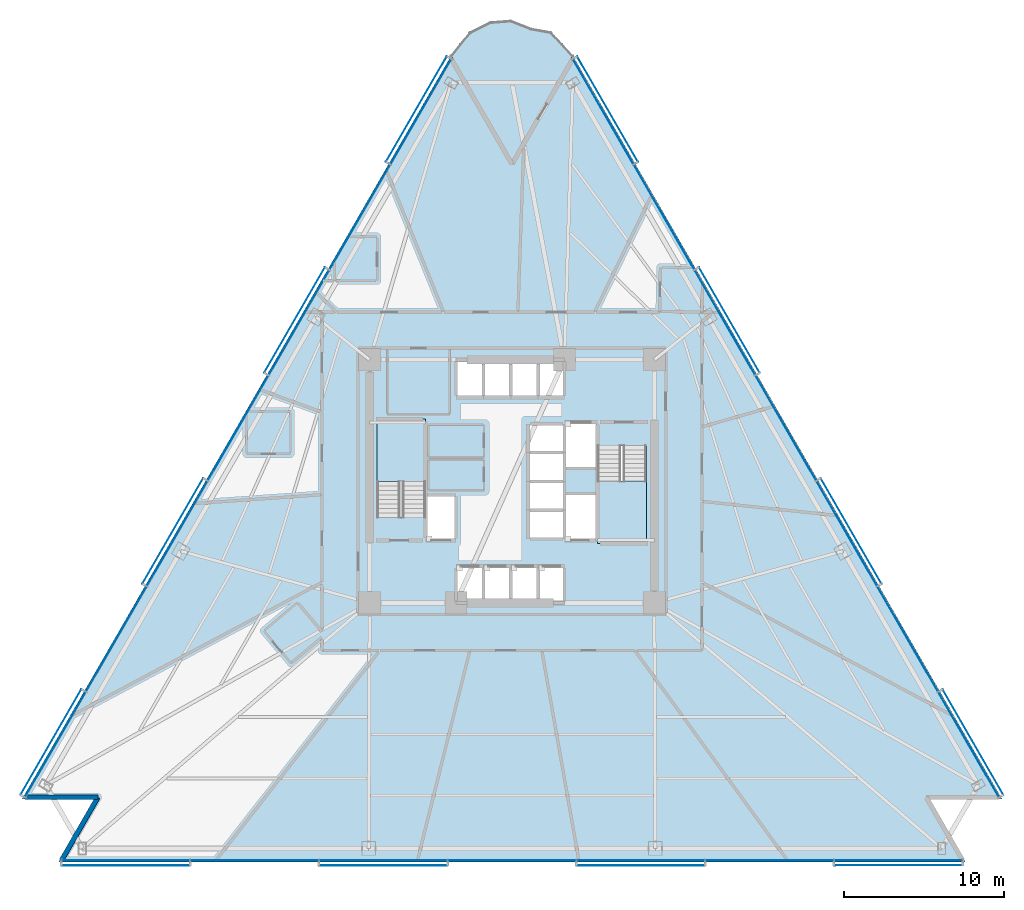
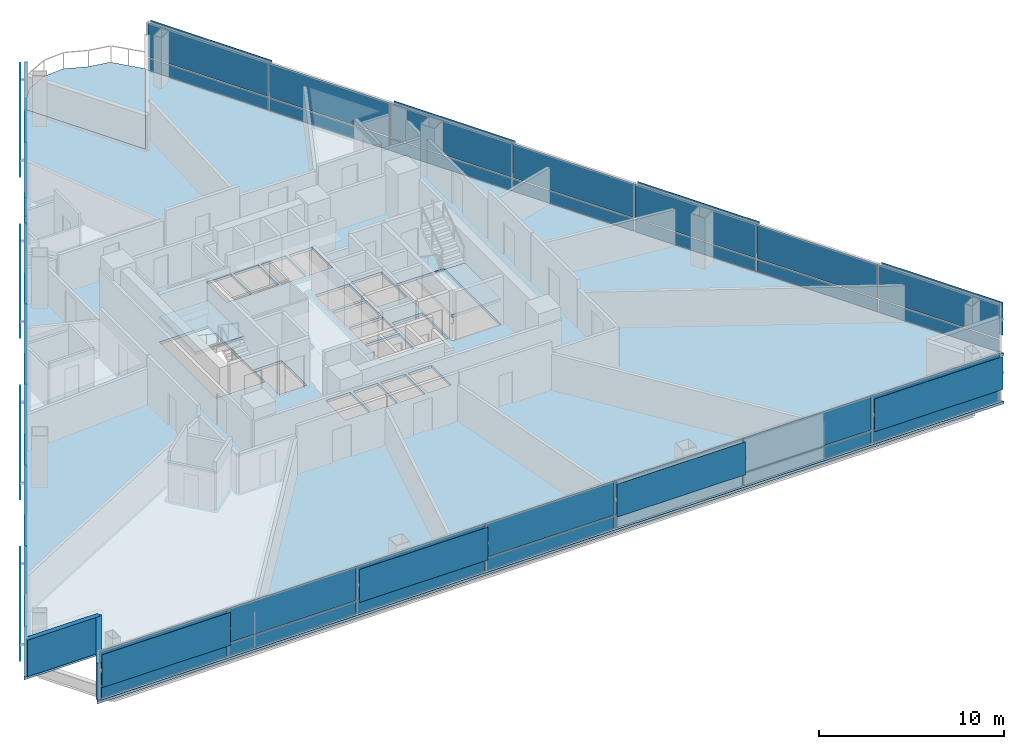
# One storey, part 6 of 16: 54 plates, 4 slabs, 2 walls, 5 elements without a shape of their own.
"""IFC4 building model written with IfcOpenShell, lengths in metres."""

from ifc_helpers import new_model, si_unit, direction, frame, frame_2d, origin, origin_2d, place, context, subcontext, project, spatial, polyline, rectangle, outline, extrude, material, layer, layer_set, type_object, element, aggregate, save


model = new_model("IFC4")

# Units and contexts
model_context = context("Model", 3, precision=1e-05, world=origin(), true_north=direction((0.0, 1.0)))
body_context = subcontext(model_context, "Body", "Model", "MODEL_VIEW")
ifc_project = project(units=[si_unit("LENGTHUNIT", "METRE"), si_unit("AREAUNIT", "SQUARE_METRE"), si_unit("VOLUMEUNIT", "CUBIC_METRE"), si_unit("PLANEANGLEUNIT", "RADIAN"), si_unit("MASSUNIT", "GRAM", prefix="KILO")], contexts=[model_context])

# Site, building, storey
site_placement = place(None, origin())
site = spatial("IfcSite", under=ifc_project, at=site_placement, CompositionType="ELEMENT")
building_placement = place(site_placement, origin())
building = spatial("IfcBuilding", under=site, at=building_placement, Name="Tharavind Bronze Gate", CompositionType="ELEMENT")
storey_placement = place(building_placement, frame((0.0, 0.0, 45.449951171875)))
storey = spatial("IfcBuildingStorey", under=building, at=storey_placement, Name="L10", CompositionType="ELEMENT", Elevation=45.449951171875)

# Plates
ifc_material_1 = material(Name="Perforated Bronze Alloy", Category="bronze")
ifc_layer_1 = layer(ifc_material_1, 0.011962890625)
ifc_layer_set_1 = layer_set([ifc_layer_1], Name="Perforated Bronze Alloy")
plate_type_1 = type_object("IfcPlateType", Name="BRONZE PERFORATED SOLAR SCREEN", PredefinedType="USERDEFINED", material=ifc_layer_set_1)
for number, where, z_axis, x_axis, name in (
    (1, (-5.976806640625, 23.27783203125, 0.97412109375), (0.0, 0.0, 1.0), (-0.500001511499, -0.866024531118, 0.0), "CW-L10-S1 perforated bronze solar screen 1"),
    (2, (-13.5927734375, 10.086669921875, 0.97412109375), (0.0, 0.0, 1.0), (-0.500001511499, -0.866024531118, 0.0), "CW-L10-S1 perforated bronze solar screen 3"),
    (3, (-21.208740234375, -3.1044921875, 0.97412109375), (0.0, 0.0, 1.0), (-0.500001511499, -0.866024531118, 0.0), "CW-L10-S1 perforated bronze solar screen 5"),
    (4, (-28.82470703125, -16.295654296875, 0.97412109375), (0.0, 0.0, 1.0), (-0.500001511499, -0.866024531118, 0.0), "CW-L10-S1 perforated bronze solar screen 7"),
):
    element("IfcPlate", number, at=place(storey_placement, frame(where, z_axis=z_axis, x_axis=x_axis)), inside=storey, type_object=plate_type_1, Name=name, ObjectType="SCREEN", PredefinedType="USERDEFINED", context=body_context, shape_type="SweptSolid", body=[
        extrude(rectangle(XDim=7.595947265625, YDim=0.011962890625, at=origin_2d()), origin(), (0.0, 0.0, 1.0), 2.177001953125),
    ])
for number, where, z_axis, x_axis, name in (
    (5, (-24.150634765625, -24.014892578125, 0.97412109375), (0.0, 0.0, 1.0), (1.0, 0.0, 0.0), "CW-L10-S2 perforated bronze solar screen 1"),
    (6, (-8.05029296875, -24.014892578125, 0.97412109375), (0.0, 0.0, 1.0), (1.0, 0.0, 0.0), "CW-L10-S2 perforated bronze solar screen 3"),
    (7, (8.05029296875, -24.014892578125, 0.97412109375), (0.0, 0.0, 1.0), (1.0, 0.0, 0.0), "CW-L10-S2 perforated bronze solar screen 5"),
    (8, (24.150634765625, -24.014892578125, 0.97412109375), (0.0, 0.0, 1.0), (1.0, 0.0, 0.0), "CW-L10-S2 perforated bronze solar screen 7"),
):
    element("IfcPlate", number, at=place(storey_placement, frame(where, z_axis=z_axis, x_axis=x_axis)), inside=storey, type_object=plate_type_1, Name=name, ObjectType="SCREEN", PredefinedType="USERDEFINED", context=body_context, shape_type="SweptSolid", body=[
        extrude(rectangle(XDim=8.0302734375, YDim=0.011962890625, at=origin_2d()), origin(), (0.0, 0.0, 1.0), 2.177001953125),
    ])
for number, where, z_axis, x_axis, name in (
    (9, (28.82470703125, -16.295654296875, 0.97412109375), (0.0, 0.0, 1.0), (-0.500001511499, 0.866024531118, 0.0), "CW-L10-S3 perforated bronze solar screen 1"),
    (10, (21.208740234375, -3.1044921875, 0.97412109375), (0.0, 0.0, 1.0), (-0.500001511499, 0.866024531118, 0.0), "CW-L10-S3 perforated bronze solar screen 3"),
    (11, (13.5927734375, 10.086669921875, 0.97412109375), (0.0, 0.0, 1.0), (-0.500001511499, 0.866024531118, 0.0), "CW-L10-S3 perforated bronze solar screen 5"),
    (12, (5.976806640625, 23.27783203125, 0.97412109375), (0.0, 0.0, 1.0), (-0.500001511499, 0.866024531118, 0.0), "CW-L10-S3 perforated bronze solar screen 7"),
):
    element("IfcPlate", number, at=place(storey_placement, frame(where, z_axis=z_axis, x_axis=x_axis)), inside=storey, type_object=plate_type_1, Name=name, ObjectType="SCREEN", PredefinedType="USERDEFINED", context=body_context, shape_type="SweptSolid", body=[
        extrude(rectangle(XDim=7.595947265625, YDim=0.011962890625, at=origin_2d()), origin(), (0.0, 0.0, 1.0), 2.177001953125),
    ])

# Curtain wall, plates
ifc_material_2 = material(Name="Anodised Bronze Aluminium", Category="aluminium")
ifc_layer_2 = layer(ifc_material_2, 0.219970703125)
ifc_layer_set_2 = layer_set([ifc_layer_2], Name="Anodised Bronze Aluminium")
curtain_wall_type = type_object("IfcCurtainWallType", Name="UNITISED CURTAIN WALL HOTEL", PredefinedType="USERDEFINED", material=ifc_layer_set_2)
curtain_wall_1_placement = place(storey_placement, origin())
curtain_wall_1 = element("IfcCurtainWall", 13, at=curtain_wall_1_placement, inside=storey, type_object=curtain_wall_type, Name="L10 unitised curtain wall hotel CW-L10-S1", ObjectType="UNITISED CURTAIN WALL", PredefinedType="USERDEFINED")
ifc_material_3 = material(Name="Patinated Bronze Alloy Sheet", Category="bronze")
ifc_layer_3 = layer(ifc_material_3, 0.01611328125)
ifc_layer_set_3 = layer_set([ifc_layer_3], Name="Patinated Bronze Alloy Sheet")
plate_type_2 = type_object("IfcPlateType", Name="BRONZE SPANDREL CLADDING PANEL 16", PredefinedType="CURTAIN_PANEL", material=ifc_layer_set_3)
plate_1_placement = place(storey_placement, frame((-5.7041015625, 23.120361328125, 0.033935546875), z_axis=(0.0, 0.0, 1.0), x_axis=(-0.500001511499, -0.866024531118, 0.0)))
plate_1 = element("IfcPlate", 14, at=plate_1_placement, type_object=plate_type_2, Name="CW-L10-S1 bronze spandrel panel 1", PredefinedType="CURTAIN_PANEL", context=body_context, shape_type="SweptSolid", body=[
    extrude(rectangle(XDim=7.5478515625, YDim=0.01611328125, at=origin_2d()), origin(), (0.0, 0.0, 1.0), 0.83203125),
])
plate_2_placement = place(storey_placement, frame((-9.511962890625, 16.52490234375, 0.033935546875), z_axis=(0.0, 0.0, 1.0), x_axis=(-0.500001511499, -0.866024531118, 0.0)))
plate_2 = element("IfcPlate", 15, at=plate_2_placement, type_object=plate_type_2, Name="CW-L10-S1 bronze spandrel panel 2", PredefinedType="CURTAIN_PANEL", context=body_context, shape_type="SweptSolid", body=[
    extrude(rectangle(XDim=7.5478515625, YDim=0.01611328125, at=origin_2d()), origin(), (0.0, 0.0, 1.0), 0.83203125),
])
plate_3_placement = place(storey_placement, frame((-13.31982421875, 9.92919921875, 0.033935546875), z_axis=(0.0, 0.0, 1.0), x_axis=(-0.500001511499, -0.866024531118, 0.0)))
plate_3 = element("IfcPlate", 16, at=plate_3_placement, type_object=plate_type_2, Name="CW-L10-S1 bronze spandrel panel 3", PredefinedType="CURTAIN_PANEL", context=body_context, shape_type="SweptSolid", body=[
    extrude(rectangle(XDim=7.5478515625, YDim=0.01611328125, at=origin_2d()), origin(), (0.0, 0.0, 1.0), 0.83203125),
])
plate_4_placement = place(storey_placement, frame((-17.1279296875, 3.33349609375, 0.033935546875), z_axis=(0.0, 0.0, 1.0), x_axis=(-0.500001511499, -0.866024531118, 0.0)))
plate_4 = element("IfcPlate", 17, at=plate_4_placement, type_object=plate_type_2, Name="CW-L10-S1 bronze spandrel panel 4", PredefinedType="CURTAIN_PANEL", context=body_context, shape_type="SweptSolid", body=[
    extrude(rectangle(XDim=7.5478515625, YDim=0.01611328125, at=origin_2d()), origin(), (0.0, 0.0, 1.0), 0.83203125),
])
plate_5_placement = place(storey_placement, frame((-20.935791015625, -3.261962890625, 0.033935546875), z_axis=(0.0, 0.0, 1.0), x_axis=(-0.500001511499, -0.866024531118, 0.0)))
plate_5 = element("IfcPlate", 18, at=plate_5_placement, type_object=plate_type_2, Name="CW-L10-S1 bronze spandrel panel 5", PredefinedType="CURTAIN_PANEL", context=body_context, shape_type="SweptSolid", body=[
    extrude(rectangle(XDim=7.5478515625, YDim=0.01611328125, at=origin_2d()), origin(), (0.0, 0.0, 1.0), 0.83203125),
])
plate_6_placement = place(storey_placement, frame((-24.743896484375, -9.857421875, 0.033935546875), z_axis=(0.0, 0.0, 1.0), x_axis=(-0.500001511499, -0.866024531118, 0.0)))
plate_6 = element("IfcPlate", 19, at=plate_6_placement, type_object=plate_type_2, Name="CW-L10-S1 bronze spandrel panel 6", PredefinedType="CURTAIN_PANEL", context=body_context, shape_type="SweptSolid", body=[
    extrude(rectangle(XDim=7.5478515625, YDim=0.01611328125, at=origin_2d()), origin(), (0.0, 0.0, 1.0), 0.83203125),
])
plate_7_placement = place(storey_placement, frame((-28.5517578125, -16.453125, 0.033935546875), z_axis=(0.0, 0.0, 1.0), x_axis=(-0.500001511499, -0.866024531118, 0.0)))
plate_7 = element("IfcPlate", 20, at=plate_7_placement, type_object=plate_type_2, Name="CW-L10-S1 bronze spandrel panel 7", PredefinedType="CURTAIN_PANEL", context=body_context, shape_type="SweptSolid", body=[
    extrude(rectangle(XDim=7.5478515625, YDim=0.01611328125, at=origin_2d()), origin(), (0.0, 0.0, 1.0), 0.83203125),
])

curtain_wall_2_placement = place(storey_placement, origin())
curtain_wall_2 = element("IfcCurtainWall", 21, at=curtain_wall_2_placement, inside=storey, type_object=curtain_wall_type, Name="L10 unitised curtain wall hotel CW-L10-S2", ObjectType="UNITISED CURTAIN WALL", PredefinedType="USERDEFINED")
plate_8_placement = place(storey_placement, frame((-24.150634765625, -23.699951171875, 0.033935546875), z_axis=(0.0, 0.0, 1.0), x_axis=(1.0, 0.0, 0.0)))
plate_8 = element("IfcPlate", 22, at=plate_8_placement, type_object=plate_type_2, Name="CW-L10-S2 bronze spandrel panel 1", PredefinedType="CURTAIN_PANEL", context=body_context, shape_type="SweptSolid", body=[
    extrude(rectangle(XDim=7.982177734375, YDim=0.01611328125, at=origin_2d()), origin(), (0.0, 0.0, 1.0), 0.83203125),
])
plate_9_placement = place(storey_placement, frame((-16.1005859375, -23.699951171875, 0.033935546875), z_axis=(0.0, 0.0, 1.0), x_axis=(1.0, 0.0, 0.0)))
plate_9 = element("IfcPlate", 23, at=plate_9_placement, type_object=plate_type_2, Name="CW-L10-S2 bronze spandrel panel 2", PredefinedType="CURTAIN_PANEL", context=body_context, shape_type="SweptSolid", body=[
    extrude(rectangle(XDim=7.982177734375, YDim=0.01611328125, at=origin_2d()), origin(), (0.0, 0.0, 1.0), 0.83203125),
])
plate_10_placement = place(storey_placement, frame((-8.05029296875, -23.699951171875, 0.033935546875), z_axis=(0.0, 0.0, 1.0), x_axis=(1.0, 0.0, 0.0)))
plate_10 = element("IfcPlate", 24, at=plate_10_placement, type_object=plate_type_2, Name="CW-L10-S2 bronze spandrel panel 3", PredefinedType="CURTAIN_PANEL", context=body_context, shape_type="SweptSolid", body=[
    extrude(rectangle(XDim=7.982177734375, YDim=0.01611328125, at=origin_2d()), origin(), (0.0, 0.0, 1.0), 0.83203125),
])
plate_11_placement = place(storey_placement, frame((0.0, -23.699951171875, 0.033935546875), z_axis=(0.0, 0.0, 1.0), x_axis=(1.0, 0.0, 0.0)))
plate_11 = element("IfcPlate", 25, at=plate_11_placement, type_object=plate_type_2, Name="CW-L10-S2 bronze spandrel panel 4", PredefinedType="CURTAIN_PANEL", context=body_context, shape_type="SweptSolid", body=[
    extrude(rectangle(XDim=7.982177734375, YDim=0.01611328125, at=origin_2d()), origin(), (0.0, 0.0, 1.0), 0.83203125),
])
plate_12_placement = place(storey_placement, frame((8.05029296875, -23.699951171875, 0.033935546875), z_axis=(0.0, 0.0, 1.0), x_axis=(1.0, 0.0, 0.0)))
plate_12 = element("IfcPlate", 26, at=plate_12_placement, type_object=plate_type_2, Name="CW-L10-S2 bronze spandrel panel 5", PredefinedType="CURTAIN_PANEL", context=body_context, shape_type="SweptSolid", body=[
    extrude(rectangle(XDim=7.982177734375, YDim=0.01611328125, at=origin_2d()), origin(), (0.0, 0.0, 1.0), 0.83203125),
])
plate_13_placement = place(storey_placement, frame((16.1005859375, -23.699951171875, 0.033935546875), z_axis=(0.0, 0.0, 1.0), x_axis=(1.0, 0.0, 0.0)))
plate_13 = element("IfcPlate", 27, at=plate_13_placement, type_object=plate_type_2, Name="CW-L10-S2 bronze spandrel panel 6", PredefinedType="CURTAIN_PANEL", context=body_context, shape_type="SweptSolid", body=[
    extrude(rectangle(XDim=7.982177734375, YDim=0.01611328125, at=origin_2d()), origin(), (0.0, 0.0, 1.0), 0.83203125),
])
plate_14_placement = place(storey_placement, frame((24.150634765625, -23.699951171875, 0.033935546875), z_axis=(0.0, 0.0, 1.0), x_axis=(1.0, 0.0, 0.0)))
plate_14 = element("IfcPlate", 28, at=plate_14_placement, type_object=plate_type_2, Name="CW-L10-S2 bronze spandrel panel 7", PredefinedType="CURTAIN_PANEL", context=body_context, shape_type="SweptSolid", body=[
    extrude(rectangle(XDim=7.982177734375, YDim=0.01611328125, at=origin_2d()), origin(), (0.0, 0.0, 1.0), 0.83203125),
])

curtain_wall_3_placement = place(storey_placement, origin())
curtain_wall_3 = element("IfcCurtainWall", 29, at=curtain_wall_3_placement, inside=storey, type_object=curtain_wall_type, Name="L10 unitised curtain wall hotel CW-L10-S3", ObjectType="UNITISED CURTAIN WALL", PredefinedType="USERDEFINED")
plate_15_placement = place(storey_placement, frame((28.5517578125, -16.453125, 0.033935546875), z_axis=(0.0, 0.0, 1.0), x_axis=(-0.500001511499, 0.866024531118, 0.0)))
plate_15 = element("IfcPlate", 30, at=plate_15_placement, type_object=plate_type_2, Name="CW-L10-S3 bronze spandrel panel 1", PredefinedType="CURTAIN_PANEL", context=body_context, shape_type="SweptSolid", body=[
    extrude(rectangle(XDim=7.5478515625, YDim=0.01611328125, at=origin_2d()), origin(), (0.0, 0.0, 1.0), 0.83203125),
])
plate_16_placement = place(storey_placement, frame((24.743896484375, -9.857421875, 0.033935546875), z_axis=(0.0, 0.0, 1.0), x_axis=(-0.500001511499, 0.866024531118, 0.0)))
plate_16 = element("IfcPlate", 31, at=plate_16_placement, type_object=plate_type_2, Name="CW-L10-S3 bronze spandrel panel 2", PredefinedType="CURTAIN_PANEL", context=body_context, shape_type="SweptSolid", body=[
    extrude(rectangle(XDim=7.5478515625, YDim=0.01611328125, at=origin_2d()), origin(), (0.0, 0.0, 1.0), 0.83203125),
])
plate_17_placement = place(storey_placement, frame((20.935791015625, -3.261962890625, 0.033935546875), z_axis=(0.0, 0.0, 1.0), x_axis=(-0.500001511499, 0.866024531118, 0.0)))
plate_17 = element("IfcPlate", 32, at=plate_17_placement, type_object=plate_type_2, Name="CW-L10-S3 bronze spandrel panel 3", PredefinedType="CURTAIN_PANEL", context=body_context, shape_type="SweptSolid", body=[
    extrude(rectangle(XDim=7.5478515625, YDim=0.01611328125, at=origin_2d()), origin(), (0.0, 0.0, 1.0), 0.83203125),
])
plate_18_placement = place(storey_placement, frame((17.1279296875, 3.33349609375, 0.033935546875), z_axis=(0.0, 0.0, 1.0), x_axis=(-0.500001511499, 0.866024531118, 0.0)))
plate_18 = element("IfcPlate", 33, at=plate_18_placement, type_object=plate_type_2, Name="CW-L10-S3 bronze spandrel panel 4", PredefinedType="CURTAIN_PANEL", context=body_context, shape_type="SweptSolid", body=[
    extrude(rectangle(XDim=7.5478515625, YDim=0.01611328125, at=origin_2d()), origin(), (0.0, 0.0, 1.0), 0.83203125),
])
plate_19_placement = place(storey_placement, frame((13.31982421875, 9.92919921875, 0.033935546875), z_axis=(0.0, 0.0, 1.0), x_axis=(-0.500001511499, 0.866024531118, 0.0)))
plate_19 = element("IfcPlate", 34, at=plate_19_placement, type_object=plate_type_2, Name="CW-L10-S3 bronze spandrel panel 5", PredefinedType="CURTAIN_PANEL", context=body_context, shape_type="SweptSolid", body=[
    extrude(rectangle(XDim=7.5478515625, YDim=0.01611328125, at=origin_2d()), origin(), (0.0, 0.0, 1.0), 0.83203125),
])
plate_20_placement = place(storey_placement, frame((9.511962890625, 16.52490234375, 0.033935546875), z_axis=(0.0, 0.0, 1.0), x_axis=(-0.500001511499, 0.866024531118, 0.0)))
plate_20 = element("IfcPlate", 35, at=plate_20_placement, type_object=plate_type_2, Name="CW-L10-S3 bronze spandrel panel 6", PredefinedType="CURTAIN_PANEL", context=body_context, shape_type="SweptSolid", body=[
    extrude(rectangle(XDim=7.5478515625, YDim=0.01611328125, at=origin_2d()), origin(), (0.0, 0.0, 1.0), 0.83203125),
])
plate_21_placement = place(storey_placement, frame((5.7041015625, 23.120361328125, 0.033935546875), z_axis=(0.0, 0.0, 1.0), x_axis=(-0.500001511499, 0.866024531118, 0.0)))
plate_21 = element("IfcPlate", 36, at=plate_21_placement, type_object=plate_type_2, Name="CW-L10-S3 bronze spandrel panel 7", PredefinedType="CURTAIN_PANEL", context=body_context, shape_type="SweptSolid", body=[
    extrude(rectangle(XDim=7.5478515625, YDim=0.01611328125, at=origin_2d()), origin(), (0.0, 0.0, 1.0), 0.83203125),
])

# Plate
ifc_material_4 = material(Name="Low-E Double Glazing", Category="glass")
ifc_layer_4 = layer(ifc_material_4, 0.031982421875)
ifc_layer_set_4 = layer_set([ifc_layer_4], Name="Low-E Double Glazing")
plate_type_3 = type_object("IfcPlateType", Name="DOUBLE GLAZED FACADE PANEL 32", PredefinedType="CURTAIN_PANEL", material=ifc_layer_set_4)
plate_22_placement = place(storey_placement, frame((-5.7041015625, 23.120361328125, 0.93408203125), z_axis=(0.0, 0.0, 1.0), x_axis=(-0.500001511499, -0.866024531118, 0.0)))
plate_22 = element("IfcPlate", 37, at=plate_22_placement, type_object=plate_type_3, Name="CW-L10-S1 vision glazing panel 1", PredefinedType="CURTAIN_PANEL", context=body_context, shape_type="SweptSolid", body=[
    extrude(rectangle(XDim=7.5478515625, YDim=0.031982421875, at=origin_2d()), origin(), (0.0, 0.0, 1.0), 2.257080078125),
])

plate_23_placement = place(storey_placement, frame((-9.511962890625, 16.52490234375, 0.93408203125), z_axis=(0.0, 0.0, 1.0), x_axis=(-0.500001511499, -0.866024531118, 0.0)))
plate_23 = element("IfcPlate", 38, at=plate_23_placement, type_object=plate_type_3, Name="CW-L10-S1 vision glazing panel 2", PredefinedType="CURTAIN_PANEL", context=body_context, shape_type="SweptSolid", body=[
    extrude(rectangle(XDim=7.5478515625, YDim=0.031982421875, at=origin_2d()), origin(), (0.0, 0.0, 1.0), 2.257080078125),
])

plate_24_placement = place(storey_placement, frame((-13.31982421875, 9.92919921875, 0.93408203125), z_axis=(0.0, 0.0, 1.0), x_axis=(-0.500001511499, -0.866024531118, 0.0)))
plate_24 = element("IfcPlate", 39, at=plate_24_placement, type_object=plate_type_3, Name="CW-L10-S1 vision glazing panel 3", PredefinedType="CURTAIN_PANEL", context=body_context, shape_type="SweptSolid", body=[
    extrude(rectangle(XDim=7.5478515625, YDim=0.031982421875, at=origin_2d()), origin(), (0.0, 0.0, 1.0), 2.257080078125),
])

plate_25_placement = place(storey_placement, frame((-17.1279296875, 3.33349609375, 0.93408203125), z_axis=(0.0, 0.0, 1.0), x_axis=(-0.500001511499, -0.866024531118, 0.0)))
plate_25 = element("IfcPlate", 40, at=plate_25_placement, type_object=plate_type_3, Name="CW-L10-S1 vision glazing panel 4", PredefinedType="CURTAIN_PANEL", context=body_context, shape_type="SweptSolid", body=[
    extrude(rectangle(XDim=7.5478515625, YDim=0.031982421875, at=origin_2d()), origin(), (0.0, 0.0, 1.0), 2.257080078125),
])

plate_26_placement = place(storey_placement, frame((-20.935791015625, -3.261962890625, 0.93408203125), z_axis=(0.0, 0.0, 1.0), x_axis=(-0.500001511499, -0.866024531118, 0.0)))
plate_26 = element("IfcPlate", 41, at=plate_26_placement, type_object=plate_type_3, Name="CW-L10-S1 vision glazing panel 5", PredefinedType="CURTAIN_PANEL", context=body_context, shape_type="SweptSolid", body=[
    extrude(rectangle(XDim=7.5478515625, YDim=0.031982421875, at=origin_2d()), origin(), (0.0, 0.0, 1.0), 2.257080078125),
])

plate_27_placement = place(storey_placement, frame((-24.743896484375, -9.857421875, 0.93408203125), z_axis=(0.0, 0.0, 1.0), x_axis=(-0.500001511499, -0.866024531118, 0.0)))
plate_27 = element("IfcPlate", 42, at=plate_27_placement, type_object=plate_type_3, Name="CW-L10-S1 vision glazing panel 6", PredefinedType="CURTAIN_PANEL", context=body_context, shape_type="SweptSolid", body=[
    extrude(rectangle(XDim=7.5478515625, YDim=0.031982421875, at=origin_2d()), origin(), (0.0, 0.0, 1.0), 2.257080078125),
])

plate_28_placement = place(storey_placement, frame((-28.5517578125, -16.453125, 0.93408203125), z_axis=(0.0, 0.0, 1.0), x_axis=(-0.500001511499, -0.866024531118, 0.0)))
plate_28 = element("IfcPlate", 43, at=plate_28_placement, type_object=plate_type_3, Name="CW-L10-S1 vision glazing panel 7", PredefinedType="CURTAIN_PANEL", context=body_context, shape_type="SweptSolid", body=[
    extrude(rectangle(XDim=7.5478515625, YDim=0.031982421875, at=origin_2d()), origin(), (0.0, 0.0, 1.0), 2.257080078125),
])

aggregate(curtain_wall_1, [plate_1, plate_22, plate_2, plate_23, plate_3, plate_24, plate_4, plate_25, plate_5, plate_26, plate_6, plate_27, plate_7, plate_28])

plate_29_placement = place(storey_placement, frame((-24.150634765625, -23.699951171875, 0.93408203125), z_axis=(0.0, 0.0, 1.0), x_axis=(1.0, 0.0, 0.0)))
plate_29 = element("IfcPlate", 44, at=plate_29_placement, type_object=plate_type_3, Name="CW-L10-S2 vision glazing panel 1", PredefinedType="CURTAIN_PANEL", context=body_context, shape_type="SweptSolid", body=[
    extrude(rectangle(XDim=7.982177734375, YDim=0.031982421875, at=origin_2d()), origin(), (0.0, 0.0, 1.0), 2.257080078125),
])

plate_30_placement = place(storey_placement, frame((-16.1005859375, -23.699951171875, 0.93408203125), z_axis=(0.0, 0.0, 1.0), x_axis=(1.0, 0.0, 0.0)))
plate_30 = element("IfcPlate", 45, at=plate_30_placement, type_object=plate_type_3, Name="CW-L10-S2 vision glazing panel 2", PredefinedType="CURTAIN_PANEL", context=body_context, shape_type="SweptSolid", body=[
    extrude(rectangle(XDim=7.982177734375, YDim=0.031982421875, at=origin_2d()), origin(), (0.0, 0.0, 1.0), 2.257080078125),
])

plate_31_placement = place(storey_placement, frame((-8.05029296875, -23.699951171875, 0.93408203125), z_axis=(0.0, 0.0, 1.0), x_axis=(1.0, 0.0, 0.0)))
plate_31 = element("IfcPlate", 46, at=plate_31_placement, type_object=plate_type_3, Name="CW-L10-S2 vision glazing panel 3", PredefinedType="CURTAIN_PANEL", context=body_context, shape_type="SweptSolid", body=[
    extrude(rectangle(XDim=7.982177734375, YDim=0.031982421875, at=origin_2d()), origin(), (0.0, 0.0, 1.0), 2.257080078125),
])

plate_32_placement = place(storey_placement, frame((0.0, -23.699951171875, 0.93408203125), z_axis=(0.0, 0.0, 1.0), x_axis=(1.0, 0.0, 0.0)))
plate_32 = element("IfcPlate", 47, at=plate_32_placement, type_object=plate_type_3, Name="CW-L10-S2 vision glazing panel 4", PredefinedType="CURTAIN_PANEL", context=body_context, shape_type="SweptSolid", body=[
    extrude(rectangle(XDim=7.982177734375, YDim=0.031982421875, at=origin_2d()), origin(), (0.0, 0.0, 1.0), 2.257080078125),
])

plate_33_placement = place(storey_placement, frame((8.05029296875, -23.699951171875, 0.93408203125), z_axis=(0.0, 0.0, 1.0), x_axis=(1.0, 0.0, 0.0)))
plate_33 = element("IfcPlate", 48, at=plate_33_placement, type_object=plate_type_3, Name="CW-L10-S2 vision glazing panel 5", PredefinedType="CURTAIN_PANEL", context=body_context, shape_type="SweptSolid", body=[
    extrude(rectangle(XDim=7.982177734375, YDim=0.031982421875, at=origin_2d()), origin(), (0.0, 0.0, 1.0), 2.257080078125),
])

plate_34_placement = place(storey_placement, frame((16.1005859375, -23.699951171875, 0.93408203125), z_axis=(0.0, 0.0, 1.0), x_axis=(1.0, 0.0, 0.0)))
plate_34 = element("IfcPlate", 49, at=plate_34_placement, type_object=plate_type_3, Name="CW-L10-S2 vision glazing panel 6", PredefinedType="CURTAIN_PANEL", context=body_context, shape_type="SweptSolid", body=[
    extrude(rectangle(XDim=7.982177734375, YDim=0.031982421875, at=origin_2d()), origin(), (0.0, 0.0, 1.0), 2.257080078125),
])

plate_35_placement = place(storey_placement, frame((24.150634765625, -23.699951171875, 0.93408203125), z_axis=(0.0, 0.0, 1.0), x_axis=(1.0, 0.0, 0.0)))
plate_35 = element("IfcPlate", 50, at=plate_35_placement, type_object=plate_type_3, Name="CW-L10-S2 vision glazing panel 7", PredefinedType="CURTAIN_PANEL", context=body_context, shape_type="SweptSolid", body=[
    extrude(rectangle(XDim=7.982177734375, YDim=0.031982421875, at=origin_2d()), origin(), (0.0, 0.0, 1.0), 2.257080078125),
])

aggregate(curtain_wall_2, [plate_8, plate_29, plate_9, plate_30, plate_10, plate_31, plate_11, plate_32, plate_12, plate_33, plate_13, plate_34, plate_14, plate_35])

plate_36_placement = place(storey_placement, frame((28.5517578125, -16.453125, 0.93408203125), z_axis=(0.0, 0.0, 1.0), x_axis=(-0.500001511499, 0.866024531118, 0.0)))
plate_36 = element("IfcPlate", 51, at=plate_36_placement, type_object=plate_type_3, Name="CW-L10-S3 vision glazing panel 1", PredefinedType="CURTAIN_PANEL", context=body_context, shape_type="SweptSolid", body=[
    extrude(rectangle(XDim=7.5478515625, YDim=0.031982421875, at=origin_2d()), origin(), (0.0, 0.0, 1.0), 2.257080078125),
])

plate_37_placement = place(storey_placement, frame((24.743896484375, -9.857421875, 0.93408203125), z_axis=(0.0, 0.0, 1.0), x_axis=(-0.500001511499, 0.866024531118, 0.0)))
plate_37 = element("IfcPlate", 52, at=plate_37_placement, type_object=plate_type_3, Name="CW-L10-S3 vision glazing panel 2", PredefinedType="CURTAIN_PANEL", context=body_context, shape_type="SweptSolid", body=[
    extrude(rectangle(XDim=7.5478515625, YDim=0.031982421875, at=origin_2d()), origin(), (0.0, 0.0, 1.0), 2.257080078125),
])

plate_38_placement = place(storey_placement, frame((20.935791015625, -3.261962890625, 0.93408203125), z_axis=(0.0, 0.0, 1.0), x_axis=(-0.500001511499, 0.866024531118, 0.0)))
plate_38 = element("IfcPlate", 53, at=plate_38_placement, type_object=plate_type_3, Name="CW-L10-S3 vision glazing panel 3", PredefinedType="CURTAIN_PANEL", context=body_context, shape_type="SweptSolid", body=[
    extrude(rectangle(XDim=7.5478515625, YDim=0.031982421875, at=origin_2d()), origin(), (0.0, 0.0, 1.0), 2.257080078125),
])

plate_39_placement = place(storey_placement, frame((17.1279296875, 3.33349609375, 0.93408203125), z_axis=(0.0, 0.0, 1.0), x_axis=(-0.500001511499, 0.866024531118, 0.0)))
plate_39 = element("IfcPlate", 54, at=plate_39_placement, type_object=plate_type_3, Name="CW-L10-S3 vision glazing panel 4", PredefinedType="CURTAIN_PANEL", context=body_context, shape_type="SweptSolid", body=[
    extrude(rectangle(XDim=7.5478515625, YDim=0.031982421875, at=origin_2d()), origin(), (0.0, 0.0, 1.0), 2.257080078125),
])

plate_40_placement = place(storey_placement, frame((13.31982421875, 9.92919921875, 0.93408203125), z_axis=(0.0, 0.0, 1.0), x_axis=(-0.500001511499, 0.866024531118, 0.0)))
plate_40 = element("IfcPlate", 55, at=plate_40_placement, type_object=plate_type_3, Name="CW-L10-S3 vision glazing panel 5", PredefinedType="CURTAIN_PANEL", context=body_context, shape_type="SweptSolid", body=[
    extrude(rectangle(XDim=7.5478515625, YDim=0.031982421875, at=origin_2d()), origin(), (0.0, 0.0, 1.0), 2.257080078125),
])

plate_41_placement = place(storey_placement, frame((9.511962890625, 16.52490234375, 0.93408203125), z_axis=(0.0, 0.0, 1.0), x_axis=(-0.500001511499, 0.866024531118, 0.0)))
plate_41 = element("IfcPlate", 56, at=plate_41_placement, type_object=plate_type_3, Name="CW-L10-S3 vision glazing panel 6", PredefinedType="CURTAIN_PANEL", context=body_context, shape_type="SweptSolid", body=[
    extrude(rectangle(XDim=7.5478515625, YDim=0.031982421875, at=origin_2d()), origin(), (0.0, 0.0, 1.0), 2.257080078125),
])

plate_42_placement = place(storey_placement, frame((5.7041015625, 23.120361328125, 0.93408203125), z_axis=(0.0, 0.0, 1.0), x_axis=(-0.500001511499, 0.866024531118, 0.0)))
plate_42 = element("IfcPlate", 57, at=plate_42_placement, type_object=plate_type_3, Name="CW-L10-S3 vision glazing panel 7", PredefinedType="CURTAIN_PANEL", context=body_context, shape_type="SweptSolid", body=[
    extrude(rectangle(XDim=7.5478515625, YDim=0.031982421875, at=origin_2d()), origin(), (0.0, 0.0, 1.0), 2.257080078125),
])

aggregate(curtain_wall_3, [plate_15, plate_36, plate_16, plate_37, plate_17, plate_38, plate_18, plate_39, plate_19, plate_40, plate_20, plate_41, plate_21, plate_42])

# Slab
ifc_material_5 = material(Name="Concrete C40/50", Category="concrete")
ifc_layer_5 = layer(ifc_material_5, 0.175048828125)
ifc_layer_set_5 = layer_set([ifc_layer_5], Name="Concrete C40/50")
slab_type_1 = type_object("IfcSlabType", Name="EXTERIOR BALCONY SLAB 175", PredefinedType="FLOOR", material=ifc_layer_set_5)
slab_1_placement = place(storey_placement, frame((0.0, 0.0, -0.175048828125)))
element("IfcSlab", 58, at=slab_1_placement, inside=storey, type_object=slab_type_1, Name="L10 northeast tree balcony slab", PredefinedType="FLOOR", context=body_context, shape_type="SweptSolid", body=[
    extrude(outline(polyline([(2.44384765625, 28.1181640625), (1.17724609375, 28.349609375), (-0.089599609375, 28.847900390625), (-1.356201171875, 28.7490234375), (-2.622802734375, 28.1181640625), (-3.800048828125, 26.6181640625), (0.0, 20.036376953125), (3.800048828125, 26.6181640625), (2.44384765625, 28.1181640625)])), origin(), (0.0, 0.0, 1.0), 0.175048828125),
])

# Stair, slab
stair_type = type_object("IfcStairType", Name="CORE HALF TURN STAIR 1450", PredefinedType="HALF_TURN_STAIR", material=ifc_material_5)
stair_1_placement = place(storey_placement, origin())
stair_1 = element("IfcStair", 59, at=stair_1_placement, inside=storey, type_object=stair_type, Name="L10 Protected Exit Stair ST1", PredefinedType="HALF_TURN_STAIR")
ifc_layer_6 = layer(ifc_material_5, 0.199951171875)
ifc_layer_set_6 = layer_set([ifc_layer_6], Name="Concrete C40/50")
slab_type_2 = type_object("IfcSlabType", Name="STAIR LANDING SLAB 200", PredefinedType="LANDING", material=ifc_layer_set_6)
slab_2_placement = place(storey_placement, frame((0.0, 0.0, 1.5)))
slab_2 = element("IfcSlab", 60, at=slab_2_placement, type_object=slab_type_2, Name="ST1 landing 1", PredefinedType="LANDING", context=body_context, shape_type="SweptSolid", body=[
    extrude(outline(polyline([(-5.39990234375, -0.010009765625), (-5.39990234375, 3.89990234375), (-8.449951171875, 3.89990234375), (-8.449951171875, -0.010009765625), (-5.39990234375, -0.010009765625)])), origin(), (0.0, 0.0, 1.0), 0.199951171875),
])
aggregate(stair_1, [slab_2])

stair_2_placement = place(storey_placement, origin())
stair_2 = element("IfcStair", 61, at=stair_2_placement, inside=storey, type_object=stair_type, Name="L10 Protected Exit Stair ST2", PredefinedType="HALF_TURN_STAIR")
slab_3_placement = place(storey_placement, frame((0.0, 0.0, 1.5)))
slab_3 = element("IfcSlab", 62, at=slab_3_placement, type_object=slab_type_2, Name="ST2 landing 1", PredefinedType="LANDING", context=body_context, shape_type="SweptSolid", body=[
    extrude(outline(polyline([(5.35009765625, 0.010009765625), (5.35009765625, -3.89990234375), (8.39990234375, -3.89990234375), (8.39990234375, 0.010009765625), (5.35009765625, 0.010009765625)])), origin(), (0.0, 0.0, 1.0), 0.199951171875),
])
aggregate(stair_2, [slab_3])

# Slab
ifc_layer_7 = layer(ifc_material_5, 0.175048828125)
ifc_layer_set_7 = layer_set([ifc_layer_7], Name="Concrete C40/50")
slab_type_3 = type_object("IfcSlabType", Name="STRUCTURAL FLOOR SLAB 175", PredefinedType="FLOOR", material=ifc_layer_set_7)
slab_4_placement = place(storey_placement, frame((0.0, 0.0, -0.175048828125)))
element("IfcSlab", 63, at=slab_4_placement, inside=storey, type_object=slab_type_3, Name="L10 main structural floor slab", PredefinedType="FLOOR", context=body_context, shape_type="SweptSolid", body=[
    extrude(outline(polyline([(3.800048828125, 26.6181640625), (0.0, 20.036376953125), (-3.800048828125, 26.6181640625), (-30.62890625, -19.850830078125), (-26.069091796875, -19.850830078125), (-28.34912109375, -23.800048828125), (28.34912109375, -23.800048828125), (26.069091796875, -19.850830078125), (30.62890625, -19.850830078125), (3.800048828125, 26.6181640625)]), holes=[polyline([(-5.39990234375, -2.215087890625), (-5.39990234375, 3.89990234375), (-8.449951171875, 3.89990234375), (-8.449951171875, -2.215087890625), (-5.39990234375, -2.215087890625)]), polyline([(5.35009765625, 2.215087890625), (5.35009765625, -3.89990234375), (8.39990234375, -3.89990234375), (8.39990234375, 2.215087890625), (5.35009765625, 2.215087890625)]), polyline([(-3.419921875, -7.52001953125), (-1.867431640625, -7.52001953125), (-1.867431640625, -5.3798828125), (-3.419921875, -5.3798828125), (-3.419921875, -7.52001953125)]), polyline([(-1.70751953125, -7.52001953125), (-0.155029296875, -7.52001953125), (-0.155029296875, -5.3798828125), (-1.70751953125, -5.3798828125), (-1.70751953125, -7.52001953125)]), polyline([(0.0048828125, -7.52001953125), (1.5576171875, -7.52001953125), (1.5576171875, -5.3798828125), (0.0048828125, -5.3798828125), (0.0048828125, -7.52001953125)]), polyline([(1.717529296875, -7.52001953125), (3.199951171875, -7.52001953125), (3.199951171875, -5.3798828125), (1.717529296875, -5.3798828125), (1.717529296875, -7.52001953125)]), polyline([(-3.419921875, 5.330078125), (-1.867431640625, 5.330078125), (-1.867431640625, 7.52001953125), (-3.419921875, 7.52001953125), (-3.419921875, 5.330078125)]), polyline([(-1.70751953125, 5.330078125), (-0.155029296875, 5.330078125), (-0.155029296875, 7.52001953125), (-1.70751953125, 7.52001953125), (-1.70751953125, 5.330078125)]), polyline([(0.0048828125, 5.330078125), (1.5576171875, 5.330078125), (1.5576171875, 7.52001953125), (0.0048828125, 7.52001953125), (0.0048828125, 5.330078125)]), polyline([(1.717529296875, 5.330078125), (3.199951171875, 5.330078125), (3.199951171875, 7.52001953125), (1.717529296875, 7.52001953125), (1.717529296875, 5.330078125)]), polyline([(1.080078125, -3.52001953125), (3.199951171875, -3.52001953125), (3.199951171875, -1.8798828125), (1.080078125, -1.8798828125), (1.080078125, -3.52001953125)]), polyline([(1.080078125, -1.719970703125), (3.199951171875, -1.719970703125), (3.199951171875, -0.080078125), (1.080078125, -0.080078125), (1.080078125, -1.719970703125)]), polyline([(1.080078125, 0.080078125), (3.199951171875, 0.080078125), (3.199951171875, 1.719970703125), (1.080078125, 1.719970703125), (1.080078125, 0.080078125)]), polyline([(1.080078125, 1.8798828125), (3.199951171875, 1.8798828125), (3.199951171875, 3.52001953125), (1.080078125, 3.52001953125), (1.080078125, 1.8798828125)]), polyline([(-5.320068359375, -3.6201171875), (-3.580078125, -3.6201171875), (-3.580078125, -0.929931640625), (-5.320068359375, -0.929931640625), (-5.320068359375, -3.6201171875)]), polyline([(3.360107421875, 0.8798828125), (5.27001953125, 0.8798828125), (5.27001953125, 3.6201171875), (3.360107421875, 3.6201171875), (3.360107421875, 0.8798828125)]), polyline([(3.360107421875, -3.6201171875), (5.27001953125, -3.6201171875), (5.27001953125, -0.830078125), (3.360107421875, -0.830078125), (3.360107421875, -3.6201171875)])]), origin(), (0.0, 0.0, 1.0), 0.175048828125),
])

# Walls
ifc_layer_8 = layer(ifc_material_5, 0.300048828125)
ifc_layer_set_8 = layer_set([ifc_layer_8], Name="Concrete C40/50")
wall_type = type_object("IfcWallType", Name="EXTERIOR SPANDREL WALL 300", PredefinedType="STANDARD", material=ifc_layer_set_8)
wall_1_placement = place(storey_placement, frame((-30.455810546875, -19.7509765625, 0.0), z_axis=(0.0, 0.0, 1.0), x_axis=(1.0, 0.0, 0.0)))
element("IfcWall", 64, at=wall_1_placement, inside=storey, type_object=wall_type, Name="L10 notch cheek wall 2A", PredefinedType="STANDARD", context=body_context, shape_type="SweptSolid", body=[
    extrude(rectangle(XDim=4.56005859375, YDim=0.300048828125, at=frame_2d((2.280029296875, 0.0))), origin(), (0.0, 0.0, 1.0), 2.420166015625),
])
wall_2_placement = place(storey_placement, frame((-25.895751953125, -19.7509765625, 0.0), z_axis=(0.0, 0.0, 1.0), x_axis=(-0.500014431597, -0.866017071537, 0.0)))
element("IfcWall", 65, at=wall_2_placement, inside=storey, type_object=wall_type, Name="L10 notch cheek wall 2B", PredefinedType="STANDARD", context=body_context, shape_type="SweptSolid", body=[
    extrude(rectangle(XDim=4.559814453125, YDim=0.300048828125, at=frame_2d((2.27978515625, 0.0))), origin(), (0.0, 0.0, 1.0), 2.420166015625),
])

save(model, "model.ifc")
